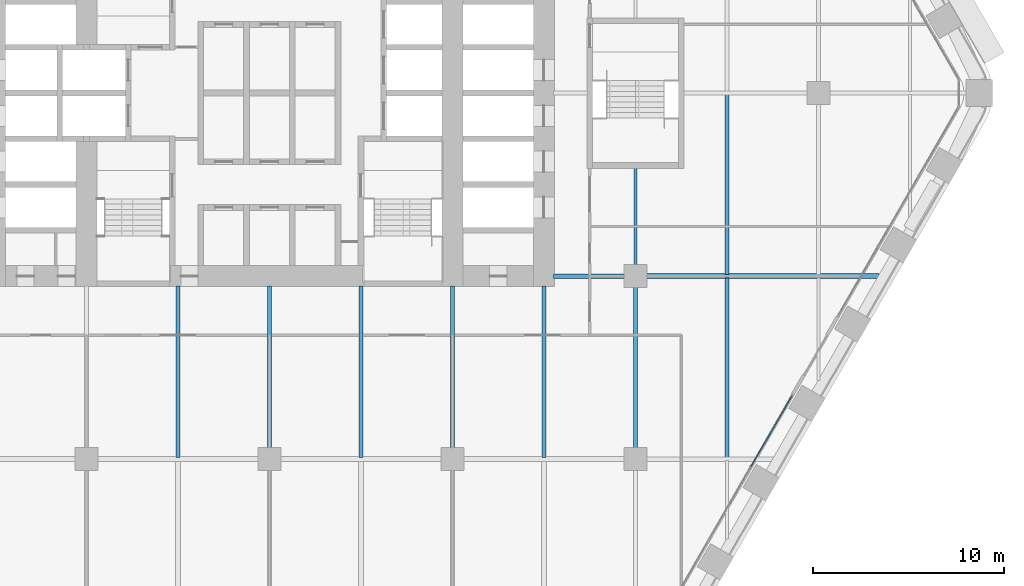
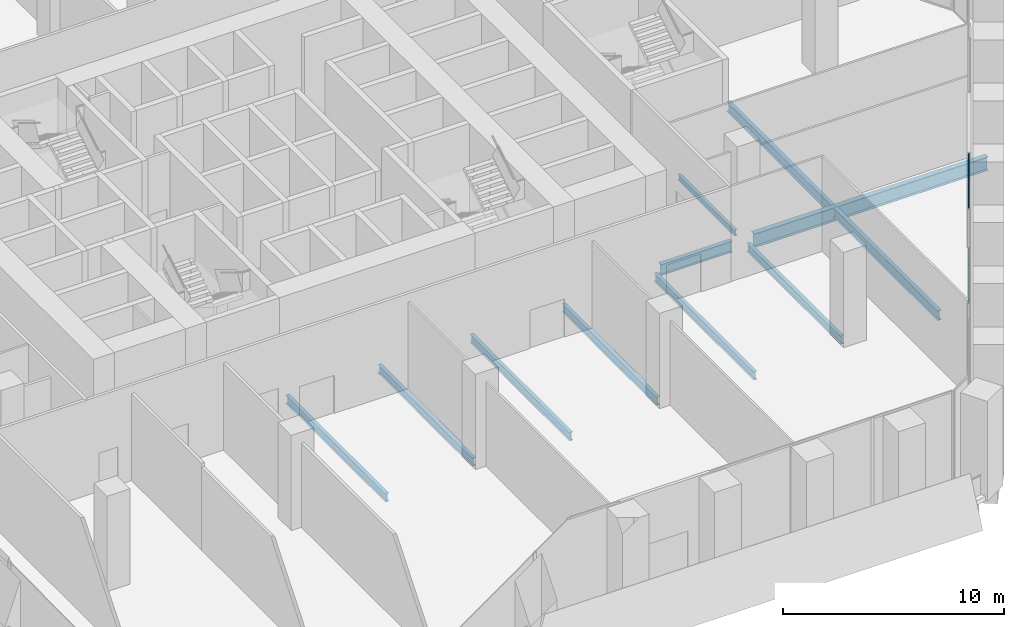
# One storey, part 6 of 27: 11 beams, 2 members, 1 element without a shape of its own.
"""IFC4 building model written with IfcOpenShell, lengths in metres."""

from ifc_helpers import new_model, si_unit, direction, frame, origin, origin_2d, place, context, subcontext, project, spatial, rectangle, i_section, extrude, material, material_profile, profile_set, type_object, element, aggregate, save


model = new_model("IFC4")

# Units and contexts
model_context = context("Model", 3, precision=1e-05, world=origin(), true_north=direction((0.0, 1.0)))
body_context = subcontext(model_context, "Body", "Model", "MODEL_VIEW")
ifc_project = project(units=[si_unit("LENGTHUNIT", "METRE"), si_unit("AREAUNIT", "SQUARE_METRE"), si_unit("VOLUMEUNIT", "CUBIC_METRE"), si_unit("PLANEANGLEUNIT", "RADIAN"), si_unit("MASSUNIT", "GRAM", prefix="KILO")], contexts=[model_context])

# Site, building, storey
site_placement = place(None, origin())
site = spatial("IfcSite", under=ifc_project, at=site_placement, CompositionType="ELEMENT")
building_placement = place(site_placement, origin())
building = spatial("IfcBuilding", under=site, at=building_placement, Name="Kolab Exchange Tower", CompositionType="ELEMENT")
storey_placement = place(building_placement, frame((0.0, 0.0, 27.89990234375)))
storey = spatial("IfcBuildingStorey", under=building, at=storey_placement, Name="L05", CompositionType="ELEMENT", Elevation=27.89990234375)

# Beams
ifc_material_1 = material(Name="Steel S355", Category="steel")
ifc_material_profile_1 = material_profile(ifc_material_1, i_section(OverallWidth=0.1650390625, OverallDepth=0.31005859375, WebThickness=0.005859375, FlangeThickness=0.009765625, at=origin_2d()), Name="W310X39")
ifc_profile_set_1 = profile_set([ifc_material_profile_1], Name="Steel S355")
beam_type_1 = type_object("IfcBeamType", Name="FLOOR BEAM W310X39", PredefinedType="BEAM", material=ifc_profile_set_1)
beam_1_placement = place(storey_placement, frame((19.199951171875, -9.0400390625, -0.40478515625), z_axis=(0.0, 1.0, 0.0), x_axis=(-1.0, 0.0, 0.0)))
element("IfcBeam", 1, at=beam_1_placement, inside=storey, type_object=beam_type_1, Name="beam/L05/fr/048", PredefinedType="BEAM", context=body_context, shape_type="SweptSolid", body=[
    extrude(i_section(OverallWidth=0.1650390625, OverallDepth=0.31005859375, WebThickness=0.005859375, FlangeThickness=0.009765625, at=origin_2d()), origin(), (0.0, 0.0, 1.0), 5.130126953125),
])
ifc_material_profile_2 = material_profile(ifc_material_1, i_section(OverallWidth=0.18994140625, OverallDepth=0.45703125, WebThickness=0.009033203125, FlangeThickness=0.014404296875, at=origin_2d()), Name="W460X74")
ifc_profile_set_2 = profile_set([ifc_material_profile_2], Name="Steel S355")
beam_type_2 = type_object("IfcBeamType", Name="FLOOR BEAM W460X74", PredefinedType="BEAM", material=ifc_profile_set_2)
beam_2_placement = place(storey_placement, frame((-4.800048828125, -19.113037109375, -0.478515625), z_axis=(0.0, 1.0, 0.0), x_axis=(-1.0, 0.0, 0.0)))
element("IfcBeam", 2, at=beam_2_placement, inside=storey, type_object=beam_type_2, Name="beam/L05/fr/027", PredefinedType="BEAM", context=body_context, shape_type="SweptSolid", body=[
    extrude(i_section(OverallWidth=0.18994140625, OverallDepth=0.45703125, WebThickness=0.009033203125, FlangeThickness=0.014404296875, at=origin_2d()), origin(), (0.0, 0.0, 1.0), 9.0029296875),
])
beam_3_placement = place(storey_placement, frame((0.0, -18.639892578125, -0.478515625), z_axis=(0.0, 1.0, 0.0), x_axis=(-1.0, 0.0, 0.0)))
element("IfcBeam", 3, at=beam_3_placement, inside=storey, type_object=beam_type_2, Name="beam/L05/fr/031", PredefinedType="BEAM", context=body_context, shape_type="SweptSolid", body=[
    extrude(i_section(OverallWidth=0.18994140625, OverallDepth=0.45703125, WebThickness=0.009033203125, FlangeThickness=0.014404296875, at=origin_2d()), origin(), (0.0, 0.0, 1.0), 8.52978515625),
])
beam_4_placement = place(storey_placement, frame((4.800048828125, -19.113037109375, -0.478515625), z_axis=(0.0, 1.0, 0.0), x_axis=(-1.0, 0.0, 0.0)))
element("IfcBeam", 4, at=beam_4_placement, inside=storey, type_object=beam_type_2, Name="beam/L05/fr/035", PredefinedType="BEAM", context=body_context, shape_type="SweptSolid", body=[
    extrude(i_section(OverallWidth=0.18994140625, OverallDepth=0.45703125, WebThickness=0.009033203125, FlangeThickness=0.014404296875, at=origin_2d()), origin(), (0.0, 0.0, 1.0), 9.0029296875),
])
beam_5_placement = place(storey_placement, frame((9.60009765625, -18.639892578125, -0.478515625), z_axis=(0.0, 1.0, 0.0), x_axis=(-1.0, 0.0, 0.0)))
element("IfcBeam", 5, at=beam_5_placement, inside=storey, type_object=beam_type_2, Name="beam/L05/fr/039", PredefinedType="BEAM", context=body_context, shape_type="SweptSolid", body=[
    extrude(i_section(OverallWidth=0.18994140625, OverallDepth=0.45703125, WebThickness=0.009033203125, FlangeThickness=0.014404296875, at=origin_2d()), origin(), (0.0, 0.0, 1.0), 8.52978515625),
])
beam_6_placement = place(storey_placement, frame((14.39990234375, -19.113037109375, -0.478515625), z_axis=(0.0, 1.0, 0.0), x_axis=(-1.0, 0.0, 0.0)))
element("IfcBeam", 6, at=beam_6_placement, inside=storey, type_object=beam_type_2, Name="beam/L05/fr/043", PredefinedType="BEAM", context=body_context, shape_type="SweptSolid", body=[
    extrude(i_section(OverallWidth=0.18994140625, OverallDepth=0.45703125, WebThickness=0.009033203125, FlangeThickness=0.014404296875, at=origin_2d()), origin(), (0.0, 0.0, 1.0), 9.0029296875),
])
beam_7_placement = place(storey_placement, frame((19.199951171875, -18.639892578125, -0.478515625), z_axis=(0.0, 1.0, 0.0), x_axis=(-1.0, 0.0, 0.0)))
element("IfcBeam", 7, at=beam_7_placement, inside=storey, type_object=beam_type_2, Name="beam/L05/fr/047", PredefinedType="BEAM", context=body_context, shape_type="SweptSolid", body=[
    extrude(i_section(OverallWidth=0.18994140625, OverallDepth=0.45703125, WebThickness=0.009033203125, FlangeThickness=0.014404296875, at=origin_2d()), origin(), (0.0, 0.0, 1.0), 8.47998046875),
])
ifc_material_profile_3 = material_profile(ifc_material_1, i_section(OverallWidth=0.208984375, OverallDepth=0.532958984375, WebThickness=0.01025390625, FlangeThickness=0.015625, at=origin_2d()), Name="W530X92")
ifc_profile_set_3 = profile_set([ifc_material_profile_3], Name="Steel S355")
beam_type_3 = type_object("IfcBeamType", Name="FLOOR BEAM W530X92", PredefinedType="BEAM", material=ifc_profile_set_3)
beam_8_placement = place(storey_placement, frame((24.0, -19.1259765625, -0.516357421875), z_axis=(0.0, 1.0, 0.0), x_axis=(-1.0, 0.0, 0.0)))
element("IfcBeam", 8, at=beam_8_placement, inside=storey, type_object=beam_type_3, Name="beam/L05/fr/053", PredefinedType="BEAM", context=body_context, shape_type="SweptSolid", body=[
    extrude(i_section(OverallWidth=0.208984375, OverallDepth=0.532958984375, WebThickness=0.01025390625, FlangeThickness=0.015625, at=origin_2d()), origin(), (0.0, 0.0, 1.0), 9.432373046875),
])
beam_9_placement = place(storey_placement, frame((24.0, -9.506591796875, -0.516357421875), z_axis=(0.0, 1.0, 0.0), x_axis=(-1.0, 0.0, 0.0)))
element("IfcBeam", 9, at=beam_9_placement, inside=storey, type_object=beam_type_3, Name="beam/L05/fr/054", PredefinedType="BEAM", context=body_context, shape_type="SweptSolid", body=[
    extrude(i_section(OverallWidth=0.208984375, OverallDepth=0.532958984375, WebThickness=0.01025390625, FlangeThickness=0.015625, at=origin_2d()), origin(), (0.0, 0.0, 1.0), 9.4326171875),
])
ifc_material_profile_4 = material_profile(ifc_material_1, i_section(OverallWidth=0.22802734375, OverallDepth=0.60791015625, WebThickness=0.01123046875, FlangeThickness=0.017333984375, at=origin_2d()), Name="W610X113")
ifc_profile_set_4 = profile_set([ifc_material_profile_4], Name="Steel S355")
beam_type_4 = type_object("IfcBeamType", Name="FLOOR GIRDER W610X113", PredefinedType="BEAM", material=ifc_profile_set_4)
beam_10_placement = place(storey_placement, frame((14.909912109375, -9.60009765625, -0.553955078125), z_axis=(1.0, 0.0, 0.0), x_axis=(0.0, 1.0, 0.0)))
element("IfcBeam", 10, at=beam_10_placement, inside=storey, type_object=beam_type_4, Name="beam/L05/gd/017", PredefinedType="BEAM", context=body_context, shape_type="SweptSolid", body=[
    extrude(i_section(OverallWidth=0.22802734375, OverallDepth=0.60791015625, WebThickness=0.01123046875, FlangeThickness=0.017333984375, at=origin_2d()), origin(), (0.0, 0.0, 1.0), 3.72998046875),
])
ifc_material_profile_5 = material_profile(ifc_material_1, i_section(OverallWidth=0.26708984375, OverallDepth=0.761962890625, WebThickness=0.014404296875, FlangeThickness=0.021484375, at=origin_2d()), Name="W760X173")
ifc_profile_set_5 = profile_set([ifc_material_profile_5], Name="Steel S355")
beam_type_5 = type_object("IfcBeamType", Name="FLOOR GIRDER W760X173", PredefinedType="BEAM", material=ifc_profile_set_5)
beam_11_placement = place(storey_placement, frame((19.760009765625, -9.60009765625, -0.630859375), z_axis=(1.0, 0.0, 0.0), x_axis=(0.0, 1.0, 0.0)))
element("IfcBeam", 11, at=beam_11_placement, inside=storey, type_object=beam_type_5, Name="beam/L05/gd/021", PredefinedType="BEAM", context=body_context, shape_type="SweptSolid", body=[
    extrude(i_section(OverallWidth=0.26708984375, OverallDepth=0.761962890625, WebThickness=0.014404296875, FlangeThickness=0.021484375, at=origin_2d()), origin(), (0.0, 0.0, 1.0), 12.213623046875),
])

# Curtain wall, members
ifc_material_2 = material(Name="Aluminium EN AW-6063 T6", Category="aluminium")
curtain_wall_type = type_object("IfcCurtainWallType", Name="UNITISED LOW ZONE CURTAIN WALL", PredefinedType="NOTDEFINED", material=ifc_material_2)
curtain_wall_placement = place(storey_placement, origin())
curtain_wall = element("IfcCurtainWall", 12, at=curtain_wall_placement, inside=storey, type_object=curtain_wall_type, Name="cw/L05/F3-2", PredefinedType="NOTDEFINED")
ifc_material_profile_6 = material_profile(ifc_material_2, rectangle(XDim=0.06005859375, YDim=0.10009765625, at=origin_2d()), Name="RECT 60X100")
ifc_profile_set_6 = profile_set([ifc_material_profile_6], Name="Aluminium EN AW-6063 T6")
member_type = type_object("IfcMemberType", Name="UNITISED LOW ZONE TRANSOM 60 X 100", PredefinedType="USERDEFINED", material=ifc_profile_set_6)
member_1_placement = place(storey_placement, frame((27.401611328125, -15.8896484375, 0.030029296875), z_axis=(-0.499976099074, -0.866039202551, 0.0), x_axis=(0.866039202551, -0.499976099074, 0.0)))
member_1 = element("IfcMember", 13, at=member_1_placement, type_object=member_type, Name="CW1 transom 1.1", ObjectType="TRANSOM", PredefinedType="USERDEFINED", context=body_context, shape_type="SweptSolid", body=[
    extrude(rectangle(XDim=0.06005859375, YDim=0.10009765625, at=origin_2d()), origin(), (0.0, 0.0, 1.0), 4.277099609375),
])
member_2_placement = place(storey_placement, frame((27.401611328125, -15.8896484375, 5.22021484375), z_axis=(-0.499976099074, -0.866039202551, 0.0), x_axis=(0.866039202551, -0.499976099074, 0.0)))
member_2 = element("IfcMember", 14, at=member_2_placement, type_object=member_type, Name="CW1 transom 1.2", ObjectType="TRANSOM", PredefinedType="USERDEFINED", context=body_context, shape_type="SweptSolid", body=[
    extrude(rectangle(XDim=0.06005859375, YDim=0.10009765625, at=origin_2d()), origin(), (0.0, 0.0, 1.0), 4.277099609375),
])
aggregate(curtain_wall, [member_1, member_2])

save(model, "model.ifc")
